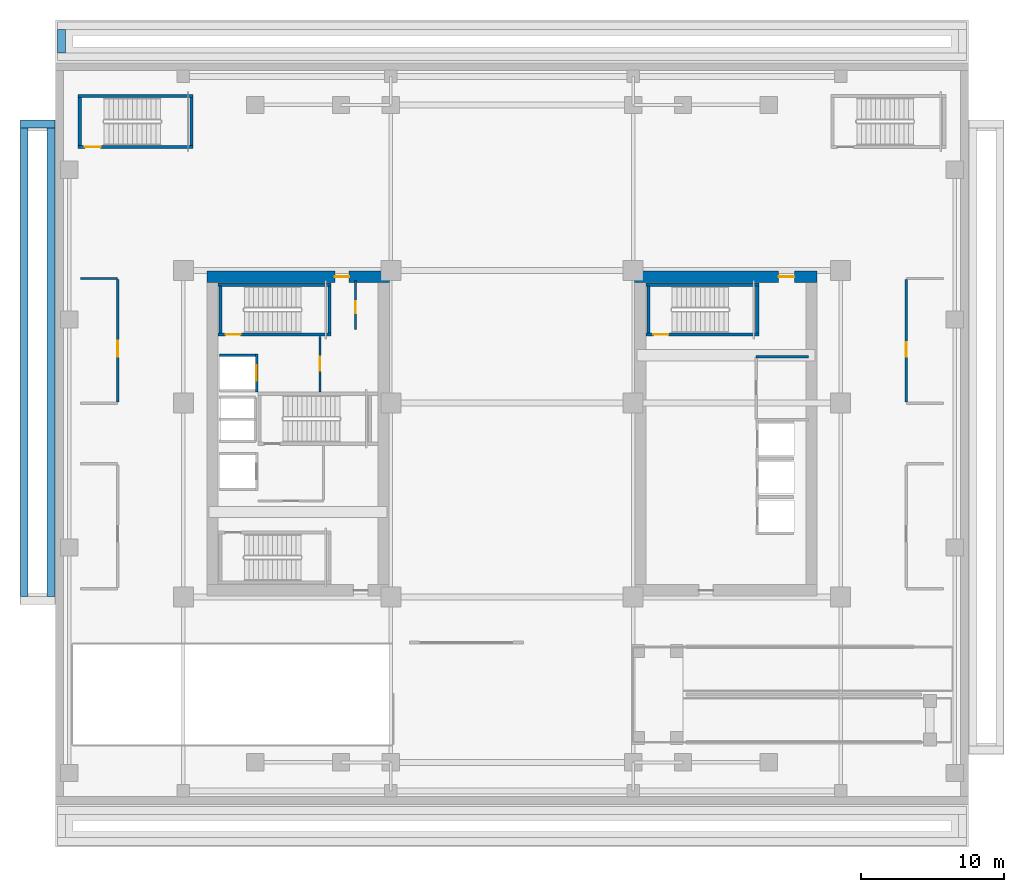
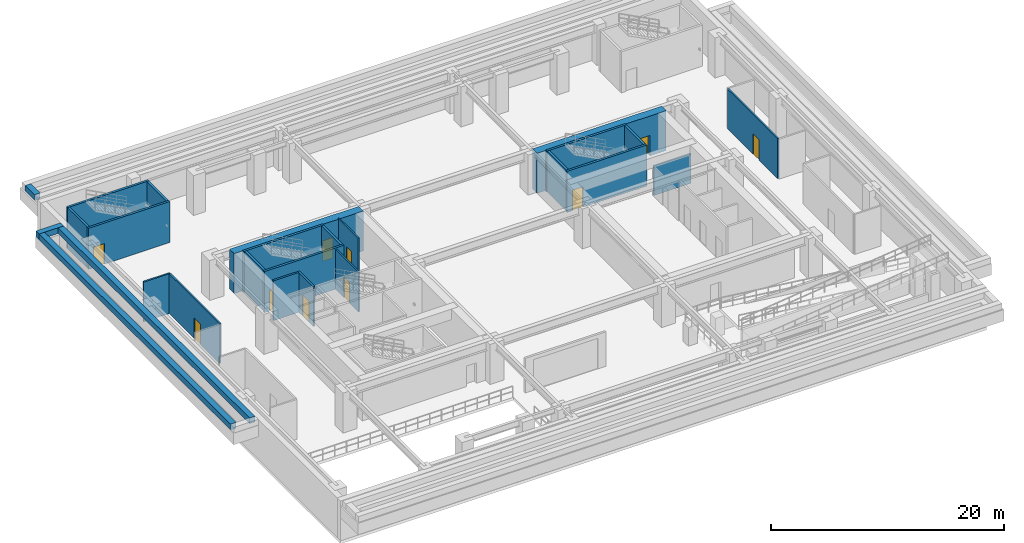
# One storey, part 4 of 9: 26 walls, 10 doors, 10 openings.
"""IFC4 building model written with IfcOpenShell, lengths in metres."""

from ifc_helpers import new_model, si_unit, direction, frame, frame_2d, origin, place, context, subcontext, project, spatial, rectangle, extrude, source, transform, mapped, material, layer, layer_set, type_object, element, fill, save


model = new_model("IFC4")

# Units and contexts
model_context = context("Model", 3, precision=1e-05, world=origin(), true_north=direction((0.0, 1.0)))
body_context = subcontext(model_context, "Body", "Model", "MODEL_VIEW")
ifc_project = project(units=[si_unit("LENGTHUNIT", "METRE"), si_unit("AREAUNIT", "SQUARE_METRE"), si_unit("VOLUMEUNIT", "CUBIC_METRE"), si_unit("PLANEANGLEUNIT", "RADIAN"), si_unit("MASSUNIT", "GRAM", prefix="KILO")], contexts=[model_context])

# Site, building, storey
site_placement = place(None, origin())
site = spatial("IfcSite", under=ifc_project, at=site_placement, CompositionType="ELEMENT")
building_placement = place(site_placement, origin())
building = spatial("IfcBuilding", under=site, at=building_placement, Name="Ocotamira Hotel", CompositionType="ELEMENT")
storey_placement = place(building_placement, frame((0.0, 0.0, -4.5)))
storey = spatial("IfcBuildingStorey", under=building, at=storey_placement, Name="B01", CompositionType="ELEMENT", Elevation=-4.5)

# Wall, opening, door
ifc_material_1 = material(Name="Concrete C60/75", Category="concrete")
ifc_layer_1 = layer(ifc_material_1, 0.800048828125)
ifc_layer_set_1 = layer_set([ifc_layer_1], Name="Concrete C60/75")
wall_type_1 = type_object("IfcWallType", Name="WL-CORE-800", PredefinedType="SHEAR", material=ifc_layer_set_1)
wall_1_placement = place(storey_placement, frame((10.60009765625, 37.0, 0.0), z_axis=(0.0, 0.0, 1.0), x_axis=(1.0, 0.0, 0.0)))
wall_1 = element("IfcWall", 1, at=wall_1_placement, inside=storey, type_object=wall_type_1, Name="B01 Shear Core Wall WCORE-N", PredefinedType="SHEAR", context=body_context, shape_type="SweptSolid", body=[
    extrude(rectangle(XDim=12.7998046875, YDim=0.800048828125, at=frame_2d((6.39990234375, 0.0))), origin(), (0.0, 0.0, 1.0), 4.179931640625),
])
opening_1_placement = place(wall_1_placement, frame((8.97998046875, 0.0, 0.0)))
opening_1 = element("IfcOpeningElement", 2, at=opening_1_placement, cuts=wall_1, Name="Opening D-FR2", PredefinedType="OPENING", context=body_context, shape_type="SweptSolid", body=[
    extrude(rectangle(XDim=1.0, YDim=2.14990234375, at=frame_2d((0.5, 1.074951171875))), frame((0.0, 0.41015625, 0.0), z_axis=(0.0, -1.0, 0.0), x_axis=(1.0, 0.0, 0.0)), (0.0, 0.0, 1.0), 0.820068359375),
])
ifc_material_2 = material(Name="Fire-rated acoustic timber-veneer door", Category="wood")
door_type_1 = type_object("IfcDoorType", Name="DR-FIRE-1000", OperationType="NOTDEFINED", PredefinedType="DOOR", material=ifc_material_2)
shared_shape_1 = source(origin(), body_context, "Body", "SweptSolid", [
    extrude(rectangle(XDim=1.0, YDim=2.14990234375, at=frame_2d((0.5, 1.074951171875))), frame((0.0, 0.02490234375, 0.0), z_axis=(0.0, -1.0, 0.0), x_axis=(1.0, 0.0, 0.0)), (0.0, 0.0, 1.0), 0.050048828125),
])
door_1_placement = place(opening_1_placement, origin())
door_1 = element("IfcDoor", 3, at=door_1_placement, inside=storey, type_object=door_type_1, Name="B01 Door ID-B01-WLOB-N-D [ID-B01-WLOB-N-D]", OperationType="SINGLE_SWING_RIGHT", OverallHeight=2.14990234375, OverallWidth=1.0, PredefinedType="DOOR", context=body_context, shape_type="MappedRepresentation", body=[
    mapped(shared_shape_1, transform((0.0, 0.0, 0.0), scale=1.0)),
])
fill(opening_1, door_1)

wall_2_placement = place(storey_placement, frame((40.60009765625, 37.0, 0.0), z_axis=(0.0, 0.0, 1.0), x_axis=(1.0, 0.0, 0.0)))
wall_2 = element("IfcWall", 4, at=wall_2_placement, inside=storey, type_object=wall_type_1, Name="B01 Shear Core Wall ECORE-N", PredefinedType="SHEAR", context=body_context, shape_type="SweptSolid", body=[
    extrude(rectangle(XDim=12.7998046875, YDim=0.800048828125, at=frame_2d((6.39990234375, 0.0))), origin(), (0.0, 0.0, 1.0), 4.179931640625),
])
opening_2_placement = place(wall_2_placement, frame((10.10009765625, 0.0, 0.0)))
opening_2 = element("IfcOpeningElement", 5, at=opening_2_placement, cuts=wall_2, Name="Opening D-FR1", PredefinedType="OPENING", context=body_context, shape_type="SweptSolid", body=[
    extrude(rectangle(XDim=1.10009765625, YDim=2.14990234375, at=frame_2d((0.550048828125, 1.074951171875))), frame((0.0, 0.41015625, 0.0), z_axis=(0.0, -1.0, 0.0), x_axis=(1.0, 0.0, 0.0)), (0.0, 0.0, 1.0), 0.820068359375),
])
door_type_2 = type_object("IfcDoorType", Name="DR-FIRE-1100", OperationType="NOTDEFINED", PredefinedType="DOOR", material=ifc_material_2)
shared_shape_2 = source(origin(), body_context, "Body", "SweptSolid", [
    extrude(rectangle(XDim=1.10009765625, YDim=2.14990234375, at=frame_2d((0.550048828125, 1.074951171875))), frame((0.0, 0.02490234375, 0.0), z_axis=(0.0, -1.0, 0.0), x_axis=(1.0, 0.0, 0.0)), (0.0, 0.0, 1.0), 0.050048828125),
])
door_2_placement = place(opening_2_placement, origin())
door_2 = element("IfcDoor", 6, at=door_2_placement, inside=storey, type_object=door_type_2, Name="B01 Door ID-B01-ELOB-N-D [ID-B01-ELOB-N-D]", OperationType="SINGLE_SWING_LEFT", OverallHeight=2.14990234375, OverallWidth=1.10009765625, PredefinedType="DOOR", context=body_context, shape_type="MappedRepresentation", body=[
    mapped(shared_shape_2, transform((0.0, 0.0, 0.0), scale=1.0)),
])
fill(opening_2, door_2)

ifc_material_3 = material(Name="Acoustic double-layer fire gypsum board partition", Category="gypsum")
ifc_layer_2 = layer(ifc_material_3, 0.159912109375)
ifc_layer_set_2 = layer_set([ifc_layer_2], Name="Acoustic double-layer fire gypsum board partition")
wall_type_2 = type_object("IfcWallType", Name="WL-FIRE-160", PredefinedType="PARTITIONING", material=ifc_layer_set_2)
wall_3_placement = place(storey_placement, frame((18.530029296875, 28.89990234375, 0.0), z_axis=(0.0, 0.0, 1.0), x_axis=(0.0, 1.0, 0.0)))
wall_3 = element("IfcWall", 7, at=wall_3_placement, inside=storey, type_object=wall_type_2, Name="B01 Interior Wall PW-B01-FSAE2-E", PredefinedType="PARTITIONING", context=body_context, shape_type="SweptSolid", body=[
    extrude(rectangle(XDim=3.900146484375, YDim=0.159912109375, at=frame_2d((1.9501953125, 0.0))), origin(), (0.0, 0.0, 1.0), 4.179931640625),
])
opening_3_placement = place(wall_3_placement, frame((1.5, 0.0, 0.0)))
opening_3 = element("IfcOpeningElement", 8, at=opening_3_placement, cuts=wall_3, Name="Opening D-FR2", PredefinedType="OPENING", context=body_context, shape_type="SweptSolid", body=[
    extrude(rectangle(XDim=1.0, YDim=2.14990234375, at=frame_2d((0.5, 1.074951171875))), frame((0.0, 0.08984375, 0.0), z_axis=(0.0, -1.0, 0.0), x_axis=(1.0, 0.0, 0.0)), (0.0, 0.0, 1.0), 0.179931640625),
])
door_3_placement = place(opening_3_placement, origin())
door_3 = element("IfcDoor", 9, at=door_3_placement, inside=storey, type_object=door_type_1, Name="B01 Door ID-B01-FSAE2-D [ID-B01-FSAE2-D]", OperationType="SINGLE_SWING_RIGHT", OverallHeight=2.14990234375, OverallWidth=1.0, PredefinedType="DOOR", context=body_context, shape_type="MappedRepresentation", body=[
    mapped(shared_shape_1, transform((0.0, 0.0, 0.0), scale=1.0)),
])
fill(opening_3, door_3)

# Walls
wall_4_placement = place(storey_placement, frame((49.1201171875, 31.3798828125, 0.0), z_axis=(0.0, 0.0, 1.0), x_axis=(1.0, 0.0, 0.0)))
element("IfcWall", 10, at=wall_4_placement, inside=storey, type_object=wall_type_2, Name="B01 Interior Wall PW-B01-EC-NEL-N", PredefinedType="PARTITIONING", context=body_context, shape_type="SweptSolid", body=[
    extrude(rectangle(XDim=3.679931640625, YDim=0.159912109375, at=frame_2d((1.83984375, 0.0))), origin(), (0.0, 0.0, 1.0), 3.080078125),
])
wall_5_placement = place(storey_placement, frame((1.75, 36.8798828125, 0.0), z_axis=(0.0, 0.0, 1.0), x_axis=(1.0, 0.0, 0.0)))
element("IfcWall", 11, at=wall_5_placement, inside=storey, type_object=wall_type_2, Name="B01 Interior Wall PW-B01-B01-LOCK-N", PredefinedType="PARTITIONING", context=body_context, shape_type="SweptSolid", body=[
    extrude(rectangle(XDim=2.60009765625, YDim=0.159912109375, at=frame_2d((1.300048828125, 0.0))), origin(), (0.0, 0.0, 1.0), 4.179931640625),
])

# Wall, opening, door
wall_6_placement = place(storey_placement, frame((4.35009765625, 28.199951171875, 0.0), z_axis=(0.0, 0.0, 1.0), x_axis=(0.0, 1.0, 0.0)))
wall_6 = element("IfcWall", 12, at=wall_6_placement, inside=storey, type_object=wall_type_2, Name="B01 Interior Wall PW-B01-B01-LOCK-E", PredefinedType="PARTITIONING", context=body_context, shape_type="SweptSolid", body=[
    extrude(rectangle(XDim=8.60009765625, YDim=0.159912109375, at=frame_2d((4.300048828125, 0.0))), origin(), (0.0, 0.0, 1.0), 4.179931640625),
])
opening_4_placement = place(wall_6_placement, frame((3.199951171875, 0.0, 0.0)))
opening_4 = element("IfcOpeningElement", 13, at=opening_4_placement, cuts=wall_6, Name="Opening D-FR1", PredefinedType="OPENING", context=body_context, shape_type="SweptSolid", body=[
    extrude(rectangle(XDim=1.10009765625, YDim=2.14990234375, at=frame_2d((0.550048828125, 1.074951171875))), frame((0.0, 0.08984375, 0.0), z_axis=(0.0, -1.0, 0.0), x_axis=(1.0, 0.0, 0.0)), (0.0, 0.0, 1.0), 0.179931640625),
])
door_4_placement = place(opening_4_placement, origin())
door_4 = element("IfcDoor", 14, at=door_4_placement, inside=storey, type_object=door_type_2, Name="B01 Door ID-B01-B01-LOCK-D [ID-B01-B01-LOCK-D]", OperationType="SINGLE_SWING_LEFT", OverallHeight=2.14990234375, OverallWidth=1.10009765625, PredefinedType="DOOR", context=body_context, shape_type="MappedRepresentation", body=[
    mapped(shared_shape_2, transform((0.0, 0.0, 0.0), scale=1.0)),
])
fill(opening_4, door_4)

wall_7_placement = place(storey_placement, frame((59.64990234375, 28.199951171875, 0.0), z_axis=(0.0, 0.0, 1.0), x_axis=(0.0, 1.0, 0.0)))
wall_7 = element("IfcWall", 15, at=wall_7_placement, inside=storey, type_object=wall_type_2, Name="B01 Interior Wall PW-B01-B01-BIKE-W", PredefinedType="PARTITIONING", context=body_context, shape_type="SweptSolid", body=[
    extrude(rectangle(XDim=8.60009765625, YDim=0.159912109375, at=frame_2d((4.300048828125, 0.0))), origin(), (0.0, 0.0, 1.0), 4.179931640625),
])
opening_5_placement = place(wall_7_placement, frame((3.199951171875, 0.0, 0.0)))
opening_5 = element("IfcOpeningElement", 16, at=opening_5_placement, cuts=wall_7, Name="Opening D-FR2", PredefinedType="OPENING", context=body_context, shape_type="SweptSolid", body=[
    extrude(rectangle(XDim=1.0, YDim=2.14990234375, at=frame_2d((0.5, 1.074951171875))), frame((0.0, 0.08984375, 0.0), z_axis=(0.0, -1.0, 0.0), x_axis=(1.0, 0.0, 0.0)), (0.0, 0.0, 1.0), 0.179931640625),
])
door_5_placement = place(opening_5_placement, origin())
door_5 = element("IfcDoor", 17, at=door_5_placement, inside=storey, type_object=door_type_1, Name="B01 Door ID-B01-B01-BIKE-D [ID-B01-B01-BIKE-D]", OperationType="SINGLE_SWING_LEFT", OverallHeight=2.14990234375, OverallWidth=1.0, PredefinedType="DOOR", context=body_context, shape_type="MappedRepresentation", body=[
    mapped(shared_shape_1, transform((0.0, 0.0, 0.0), scale=1.0)),
])
fill(opening_5, door_5)

ifc_material_4 = material(Name="Acoustic hospitality gypsum board partition", Category="gypsum")
ifc_layer_3 = layer(ifc_material_4, 0.14208984375)
ifc_layer_set_3 = layer_set([ifc_layer_3], Name="Acoustic hospitality gypsum board partition")
wall_type_3 = type_object("IfcWallType", Name="WL-PART-142", PredefinedType="PARTITIONING", material=ifc_layer_set_3)
wall_8_placement = place(storey_placement, frame((21.02001953125, 33.280029296875, 0.0), z_axis=(0.0, 0.0, 1.0), x_axis=(0.0, 1.0, 0.0)))
wall_8 = element("IfcWall", 18, at=wall_8_placement, inside=storey, type_object=wall_type_3, Name="B01 Interior Wall PW-B01-WC-NE-W", PredefinedType="PARTITIONING", context=body_context, shape_type="SweptSolid", body=[
    extrude(rectangle(XDim=3.469970703125, YDim=0.14208984375, at=frame_2d((1.73486328125, 0.0))), origin(), (0.0, 0.0, 1.0), 4.179931640625),
])
opening_6_placement = place(wall_8_placement, frame((1.14990234375, 0.0, 0.0)))
opening_6 = element("IfcOpeningElement", 19, at=opening_6_placement, cuts=wall_8, Name="Opening D-SV1", PredefinedType="OPENING", context=body_context, shape_type="SweptSolid", body=[
    extrude(rectangle(XDim=0.840087890625, YDim=2.10009765625, at=frame_2d((0.419921875, 1.050048828125))), frame((0.0, 0.0810546875, 0.0), z_axis=(0.0, -1.0, 0.0), x_axis=(1.0, 0.0, 0.0)), (0.0, 0.0, 1.0), 0.162109375),
])
ifc_material_5 = material(Name="Fire-rated painted steel service door", Category="steel")
door_type_3 = type_object("IfcDoorType", Name="DR-SERV-840", OperationType="NOTDEFINED", PredefinedType="DOOR", material=ifc_material_5)
shared_shape_3 = source(origin(), body_context, "Body", "SweptSolid", [
    extrude(rectangle(XDim=0.840087890625, YDim=2.10009765625, at=frame_2d((0.419921875, 1.050048828125))), frame((0.0, 0.02490234375, 0.0), z_axis=(0.0, -1.0, 0.0), x_axis=(1.0, 0.0, 0.0)), (0.0, 0.0, 1.0), 0.050048828125),
])
door_6_placement = place(opening_6_placement, origin())
door_6 = element("IfcDoor", 20, at=door_6_placement, inside=storey, type_object=door_type_3, Name="B01 Door ID-B01-WC-NE-D [ID-B01-WC-NE-D]", OperationType="SINGLE_SWING_LEFT", OverallHeight=2.10009765625, OverallWidth=0.840087890625, PredefinedType="DOOR", context=body_context, shape_type="MappedRepresentation", body=[
    mapped(shared_shape_3, transform((0.0, 0.0, 0.0), scale=1.0)),
])
fill(opening_6, door_6)

# Walls
ifc_material_6 = material(Name="Concrete C50/60", Category="concrete")
ifc_layer_4 = layer(ifc_material_6, 0.550048828125)
ifc_layer_set_4 = layer_set([ifc_layer_4], Name="Concrete C50/60")
wall_type_4 = type_object("IfcWallType", Name="WL-RET-550", PredefinedType="USERDEFINED", material=ifc_layer_set_4)
wall_9_placement = place(storey_placement, frame((0.39990234375, 52.695068359375, 3.64990234375), z_axis=(0.0, 0.0, 1.0), x_axis=(0.0, 1.0, 0.0)))
element("IfcWall", 21, at=wall_9_placement, inside=storey, type_object=wall_type_4, Name="B01 Shear Core Wall RW-PLZ-NORTH-W", ObjectType="RETAINING WALL", PredefinedType="USERDEFINED", context=body_context, shape_type="SweptSolid", body=[
    extrude(rectangle(XDim=1.6298828125, YDim=0.550048828125, at=frame_2d((0.81494140625, 0.0))), origin(), (0.0, 0.0, 1.0), 0.60009765625),
])
wall_10_placement = place(storey_placement, frame((-2.47509765625, 47.699951171875, 3.64990234375), z_axis=(0.0, 0.0, 1.0), x_axis=(1.0, 0.0, 0.0)))
element("IfcWall", 22, at=wall_10_placement, inside=storey, type_object=wall_type_4, Name="B01 Shear Core Wall RW-EXW-N", ObjectType="RETAINING WALL", PredefinedType="USERDEFINED", context=body_context, shape_type="SweptSolid", body=[
    extrude(rectangle(XDim=2.43017578125, YDim=0.550048828125, at=frame_2d((1.215087890625, 0.0))), origin(), (0.0, 0.0, 1.0), 0.60009765625),
])
for number, where, z_axis, x_axis, name in (
    (23, (-2.199951171875, 14.574951171875, 3.64990234375), (0.0, 0.0, 1.0), (0.0, 1.0, 0.0), "B01 Shear Core Wall RW-EXW-W"),
    (24, (-0.320068359375, 14.574951171875, 3.64990234375), (0.0, 0.0, 1.0), (0.0, 1.0, 0.0), "B01 Shear Core Wall RW-EXW-E"),
):
    element("IfcWall", number, at=place(storey_placement, frame(where, z_axis=z_axis, x_axis=x_axis)), inside=storey, type_object=wall_type_4, Name=name, ObjectType="RETAINING WALL", PredefinedType="USERDEFINED", context=body_context, shape_type="SweptSolid", body=[
        extrude(rectangle(XDim=32.85009765625, YDim=0.550048828125, at=frame_2d((16.425048828125, 0.0))), origin(), (0.0, 0.0, 1.0), 0.60009765625),
    ])
ifc_material_7 = material(Name="Fire-rated gypsum shaftliner board assembly", Category="gypsum")
ifc_layer_5 = layer(ifc_material_7, 0.179931640625)
ifc_layer_set_5 = layer_set([ifc_layer_5], Name="Fire-rated gypsum shaftliner board assembly")
wall_type_5 = type_object("IfcWallType", Name="WL-SHAFT-180", PredefinedType="SOLIDWALL", material=ifc_layer_set_5)
wall_11_placement = place(storey_placement, frame((11.5, 31.489990234375, 0.0), z_axis=(0.0, 0.0, 1.0), x_axis=(1.0, 0.0, 0.0)))
element("IfcWall", 25, at=wall_11_placement, inside=storey, type_object=wall_type_5, Name="B01 Interior Wall PW-B01-LFW-LF-FSAE2-N", PredefinedType="SOLIDWALL", context=body_context, shape_type="SweptSolid", body=[
    extrude(rectangle(XDim=2.5, YDim=0.179931640625, at=frame_2d((1.25, 0.0))), origin(), (0.0, 0.0, 1.0), 4.179931640625),
])

# Wall, opening, door
wall_12_placement = place(storey_placement, frame((14.090087890625, 28.919921875, 0.0), z_axis=(0.0, 0.0, 1.0), x_axis=(0.0, 1.0, 0.0)))
wall_12 = element("IfcWall", 26, at=wall_12_placement, inside=storey, type_object=wall_type_5, Name="B01 Interior Wall PW-B01-LFW-LF-FSAE2-E", PredefinedType="SOLIDWALL", context=body_context, shape_type="SweptSolid", body=[
    extrude(rectangle(XDim=2.66015625, YDim=0.179931640625, at=frame_2d((1.330078125, 0.0))), origin(), (0.0, 0.0, 1.0), 4.179931640625),
])
opening_7_placement = place(wall_12_placement, frame((0.780029296875, 0.0, 0.0)))
opening_7 = element("IfcOpeningElement", 27, at=opening_7_placement, cuts=wall_12, Name="Opening LD-LF-FSAE2", PredefinedType="OPENING", context=body_context, shape_type="SweptSolid", body=[
    extrude(rectangle(XDim=1.10009765625, YDim=2.199951171875, at=frame_2d((0.550048828125, 1.10009765625))), frame((0.0, 0.10009765625, 0.0), z_axis=(0.0, -1.0, 0.0), x_axis=(1.0, 0.0, 0.0)), (0.0, 0.0, 1.0), 0.199951171875),
])
ifc_material_8 = material(Name="Brushed pale-metal stainless elevator landing door", Category="steel")
door_type_4 = type_object("IfcDoorType", Name="DR-LIFT-1100", OperationType="NOTDEFINED", PredefinedType="DOOR", material=ifc_material_8)
shared_shape_4 = source(origin(), body_context, "Body", "SweptSolid", [
    extrude(rectangle(XDim=1.10009765625, YDim=2.199951171875, at=frame_2d((0.550048828125, 1.10009765625))), frame((0.0, 0.02490234375, 0.0), z_axis=(0.0, -1.0, 0.0), x_axis=(1.0, 0.0, 0.0)), (0.0, 0.0, 1.0), 0.050048828125),
])
door_7_placement = place(opening_7_placement, origin())
door_7 = element("IfcDoor", 28, at=door_7_placement, inside=storey, type_object=door_type_4, Name="B01 Landing Door LD-LF-FSAE2 [ID-B01-LD-LF-FSAE2]", OperationType="DOUBLE_DOOR_SLIDING", OverallHeight=2.199951171875, OverallWidth=1.10009765625, PredefinedType="DOOR", context=body_context, shape_type="MappedRepresentation", body=[
    mapped(shared_shape_4, transform((0.0, 0.0, 0.0), scale=1.0)),
])
fill(opening_7, door_7)

ifc_layer_6 = layer(ifc_material_6, 0.219970703125)
ifc_layer_set_6 = layer_set([ifc_layer_6], Name="Concrete C50/60")
wall_type_6 = type_object("IfcWallType", Name="WL-STAIR-220", PredefinedType="SHEAR", material=ifc_layer_set_6)
wall_13_placement = place(storey_placement, frame((11.39990234375, 32.93994140625, 0.0), z_axis=(0.0, 0.0, 1.0), x_axis=(1.0, 0.0, 0.0)))
wall_13 = element("IfcWall", 29, at=wall_13_placement, inside=storey, type_object=wall_type_6, Name="B01 Stair Shaft Structural Wall ST-2-S", PredefinedType="SHEAR", context=body_context, shape_type="SweptSolid", body=[
    extrude(rectangle(XDim=7.91015625, YDim=0.219970703125, at=frame_2d((3.955078125, 0.0))), origin(), (0.0, 0.0, 1.0), 4.300048828125),
])
opening_8_placement = place(wall_13_placement, frame((0.52001953125, 0.0, 0.0)))
opening_8 = element("IfcOpeningElement", 30, at=opening_8_placement, cuts=wall_13, Name="Opening D-ST2", PredefinedType="OPENING", context=body_context, shape_type="SweptSolid", body=[
    extrude(rectangle(XDim=1.050048828125, YDim=2.14990234375, at=frame_2d((0.52490234375, 1.074951171875))), frame((0.0, 0.1201171875, 0.0), z_axis=(0.0, -1.0, 0.0), x_axis=(1.0, 0.0, 0.0)), (0.0, 0.0, 1.0), 0.239990234375),
])
ifc_material_9 = material(Name="Insulated painted hollow-metal fire exit door", Category="steel")
door_type_5 = type_object("IfcDoorType", Name="DR-STAIR-1050", OperationType="NOTDEFINED", PredefinedType="DOOR", material=ifc_material_9)
shared_shape_5 = source(origin(), body_context, "Body", "SweptSolid", [
    extrude(rectangle(XDim=1.050048828125, YDim=2.14990234375, at=frame_2d((0.52490234375, 1.074951171875))), frame((0.0, 0.02490234375, 0.0), z_axis=(0.0, -1.0, 0.0), x_axis=(1.0, 0.0, 0.0)), (0.0, 0.0, 1.0), 0.050048828125),
])
door_8_placement = place(opening_8_placement, origin())
door_8 = element("IfcDoor", 31, at=door_8_placement, inside=storey, type_object=door_type_5, Name="B01 Door ID-B01-STD-ST-2 [ID-B01-STD-ST-2]", OperationType="SINGLE_SWING_RIGHT", OverallHeight=2.14990234375, OverallWidth=1.050048828125, PredefinedType="DOOR", context=body_context, shape_type="MappedRepresentation", body=[
    mapped(shared_shape_5, transform((0.0, 0.0, 0.0), scale=1.0)),
])
fill(opening_8, door_8)

# Walls
wall_14_placement = place(storey_placement, frame((11.39990234375, 36.43994140625, 0.0), z_axis=(0.0, 0.0, 1.0), x_axis=(1.0, 0.0, 0.0)))
element("IfcWall", 32, at=wall_14_placement, inside=storey, type_object=wall_type_6, Name="B01 Stair Shaft Structural Wall ST-2-N", PredefinedType="SHEAR", context=body_context, shape_type="SweptSolid", body=[
    extrude(rectangle(XDim=7.91015625, YDim=0.219970703125, at=frame_2d((3.955078125, 0.0))), origin(), (0.0, 0.0, 1.0), 4.300048828125),
])
for number, where, z_axis, x_axis, name in (
    (33, (11.56005859375, 33.050048828125, 0.0), (0.0, 0.0, 1.0), (0.0, 1.0, 0.0), "B01 Stair Shaft Structural Wall ST-2-W"),
    (34, (19.199951171875, 33.050048828125, 0.0), (0.0, 0.0, 1.0), (0.0, 1.0, 0.0), "B01 Stair Shaft Structural Wall ST-2-E"),
):
    element("IfcWall", number, at=place(storey_placement, frame(where, z_axis=z_axis, x_axis=x_axis)), inside=storey, type_object=wall_type_6, Name=name, PredefinedType="SHEAR", context=body_context, shape_type="SweptSolid", body=[
        extrude(rectangle(XDim=3.280029296875, YDim=0.219970703125, at=frame_2d((1.64013671875, 0.0))), origin(), (0.0, 0.0, 1.0), 4.300048828125),
    ])

# Wall, opening, door
wall_15_placement = place(storey_placement, frame((41.39990234375, 32.93994140625, 0.0), z_axis=(0.0, 0.0, 1.0), x_axis=(1.0, 0.0, 0.0)))
wall_15 = element("IfcWall", 35, at=wall_15_placement, inside=storey, type_object=wall_type_6, Name="B01 Stair Shaft Structural Wall ST-4-S", PredefinedType="SHEAR", context=body_context, shape_type="SweptSolid", body=[
    extrude(rectangle(XDim=7.91015625, YDim=0.219970703125, at=frame_2d((3.955078125, 0.0))), origin(), (0.0, 0.0, 1.0), 4.300048828125),
])
opening_9_placement = place(wall_15_placement, frame((0.52001953125, 0.0, 0.0)))
opening_9 = element("IfcOpeningElement", 36, at=opening_9_placement, cuts=wall_15, Name="Opening D-ST2", PredefinedType="OPENING", context=body_context, shape_type="SweptSolid", body=[
    extrude(rectangle(XDim=1.050048828125, YDim=2.14990234375, at=frame_2d((0.52490234375, 1.074951171875))), frame((0.0, 0.1201171875, 0.0), z_axis=(0.0, -1.0, 0.0), x_axis=(1.0, 0.0, 0.0)), (0.0, 0.0, 1.0), 0.239990234375),
])
door_9_placement = place(opening_9_placement, origin())
door_9 = element("IfcDoor", 37, at=door_9_placement, inside=storey, type_object=door_type_5, Name="B01 Door ID-B01-STD-ST-4 [ID-B01-STD-ST-4]", OperationType="SINGLE_SWING_RIGHT", OverallHeight=2.14990234375, OverallWidth=1.050048828125, PredefinedType="DOOR", context=body_context, shape_type="MappedRepresentation", body=[
    mapped(shared_shape_5, transform((0.0, 0.0, 0.0), scale=1.0)),
])
fill(opening_9, door_9)

# Walls
wall_16_placement = place(storey_placement, frame((41.39990234375, 36.43994140625, 0.0), z_axis=(0.0, 0.0, 1.0), x_axis=(1.0, 0.0, 0.0)))
element("IfcWall", 38, at=wall_16_placement, inside=storey, type_object=wall_type_6, Name="B01 Stair Shaft Structural Wall ST-4-N", PredefinedType="SHEAR", context=body_context, shape_type="SweptSolid", body=[
    extrude(rectangle(XDim=7.91015625, YDim=0.219970703125, at=frame_2d((3.955078125, 0.0))), origin(), (0.0, 0.0, 1.0), 4.300048828125),
])
for number, where, z_axis, x_axis, name in (
    (39, (41.56005859375, 33.050048828125, 0.0), (0.0, 0.0, 1.0), (0.0, 1.0, 0.0), "B01 Stair Shaft Structural Wall ST-4-W"),
    (40, (49.199951171875, 33.050048828125, 0.0), (0.0, 0.0, 1.0), (0.0, 1.0, 0.0), "B01 Stair Shaft Structural Wall ST-4-E"),
):
    element("IfcWall", number, at=place(storey_placement, frame(where, z_axis=z_axis, x_axis=x_axis)), inside=storey, type_object=wall_type_6, Name=name, PredefinedType="SHEAR", context=body_context, shape_type="SweptSolid", body=[
        extrude(rectangle(XDim=3.280029296875, YDim=0.219970703125, at=frame_2d((1.64013671875, 0.0))), origin(), (0.0, 0.0, 1.0), 4.300048828125),
    ])

# Wall, opening, door
wall_17_placement = place(storey_placement, frame((1.580078125, 46.090087890625, 0.0), z_axis=(0.0, 0.0, 1.0), x_axis=(1.0, 0.0, 0.0)))
wall_17 = element("IfcWall", 41, at=wall_17_placement, inside=storey, type_object=wall_type_6, Name="B01 Stair Shaft Structural Wall ST-5-S", PredefinedType="SHEAR", context=body_context, shape_type="SweptSolid", body=[
    extrude(rectangle(XDim=8.059814453125, YDim=0.219970703125, at=frame_2d((4.02978515625, 0.0))), origin(), (0.0, 0.0, 1.0), 4.300048828125),
])
opening_10_placement = place(wall_17_placement, frame((0.469970703125, 0.0, 0.0)))
opening_10 = element("IfcOpeningElement", 42, at=opening_10_placement, cuts=wall_17, Name="Opening D-ST1", PredefinedType="OPENING", context=body_context, shape_type="SweptSolid", body=[
    extrude(rectangle(XDim=1.10009765625, YDim=2.14990234375, at=frame_2d((0.550048828125, 1.074951171875))), frame((0.0, 0.1201171875, 0.0), z_axis=(0.0, -1.0, 0.0), x_axis=(1.0, 0.0, 0.0)), (0.0, 0.0, 1.0), 0.239990234375),
])
door_type_6 = type_object("IfcDoorType", Name="DR-STAIR-1100", OperationType="NOTDEFINED", PredefinedType="DOOR", material=ifc_material_9)
door_10_placement = place(opening_10_placement, origin())
door_10 = element("IfcDoor", 43, at=door_10_placement, inside=storey, type_object=door_type_6, Name="B01 Door ID-B01-STD-ST-5 [ID-B01-STD-ST-5]", OperationType="SINGLE_SWING_LEFT", OverallHeight=2.14990234375, OverallWidth=1.10009765625, PredefinedType="DOOR", context=body_context, shape_type="MappedRepresentation", body=[
    mapped(shared_shape_2, transform((0.0, 0.0, 0.0), scale=1.0)),
])
fill(opening_10, door_10)

# Walls
wall_18_placement = place(storey_placement, frame((1.580078125, 49.669921875, 0.0), z_axis=(0.0, 0.0, 1.0), x_axis=(1.0, 0.0, 0.0)))
element("IfcWall", 44, at=wall_18_placement, inside=storey, type_object=wall_type_6, Name="B01 Stair Shaft Structural Wall ST-5-N", PredefinedType="SHEAR", context=body_context, shape_type="SweptSolid", body=[
    extrude(rectangle(XDim=8.059814453125, YDim=0.219970703125, at=frame_2d((4.02978515625, 0.0))), origin(), (0.0, 0.0, 1.0), 4.300048828125),
])
for number, where, z_axis, x_axis, name in (
    (45, (1.68994140625, 46.199951171875, 0.0), (0.0, 0.0, 1.0), (0.0, 1.0, 0.0), "B01 Stair Shaft Structural Wall ST-5-W"),
    (46, (9.530029296875, 46.199951171875, 0.0), (0.0, 0.0, 1.0), (0.0, 1.0, 0.0), "B01 Stair Shaft Structural Wall ST-5-E"),
):
    element("IfcWall", number, at=place(storey_placement, frame(where, z_axis=z_axis, x_axis=x_axis)), inside=storey, type_object=wall_type_6, Name=name, PredefinedType="SHEAR", context=body_context, shape_type="SweptSolid", body=[
        extrude(rectangle(XDim=3.360107421875, YDim=0.219970703125, at=frame_2d((1.68017578125, 0.0))), origin(), (0.0, 0.0, 1.0), 4.300048828125),
    ])

save(model, "model.ifc")
